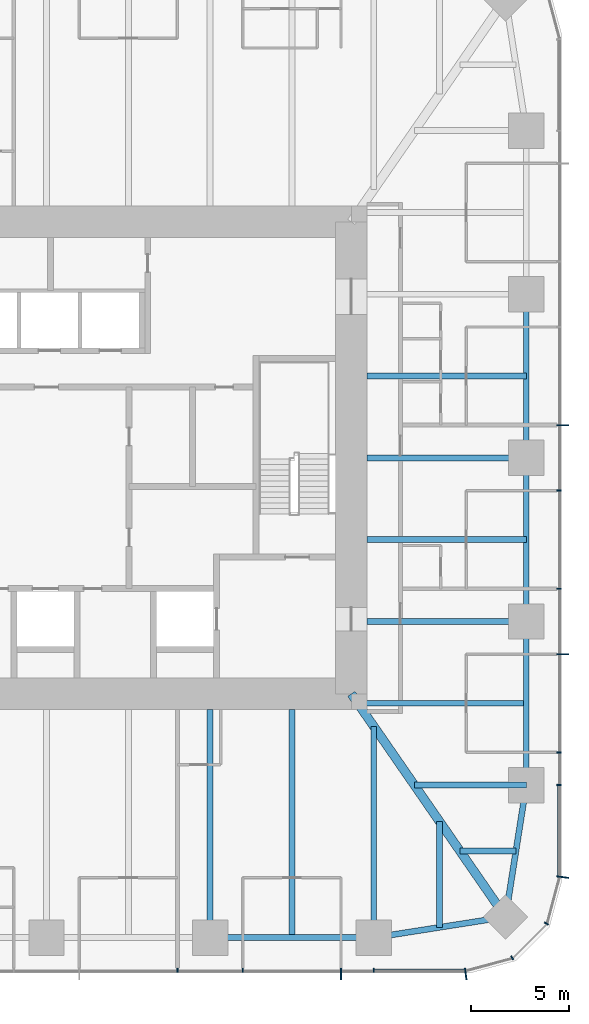
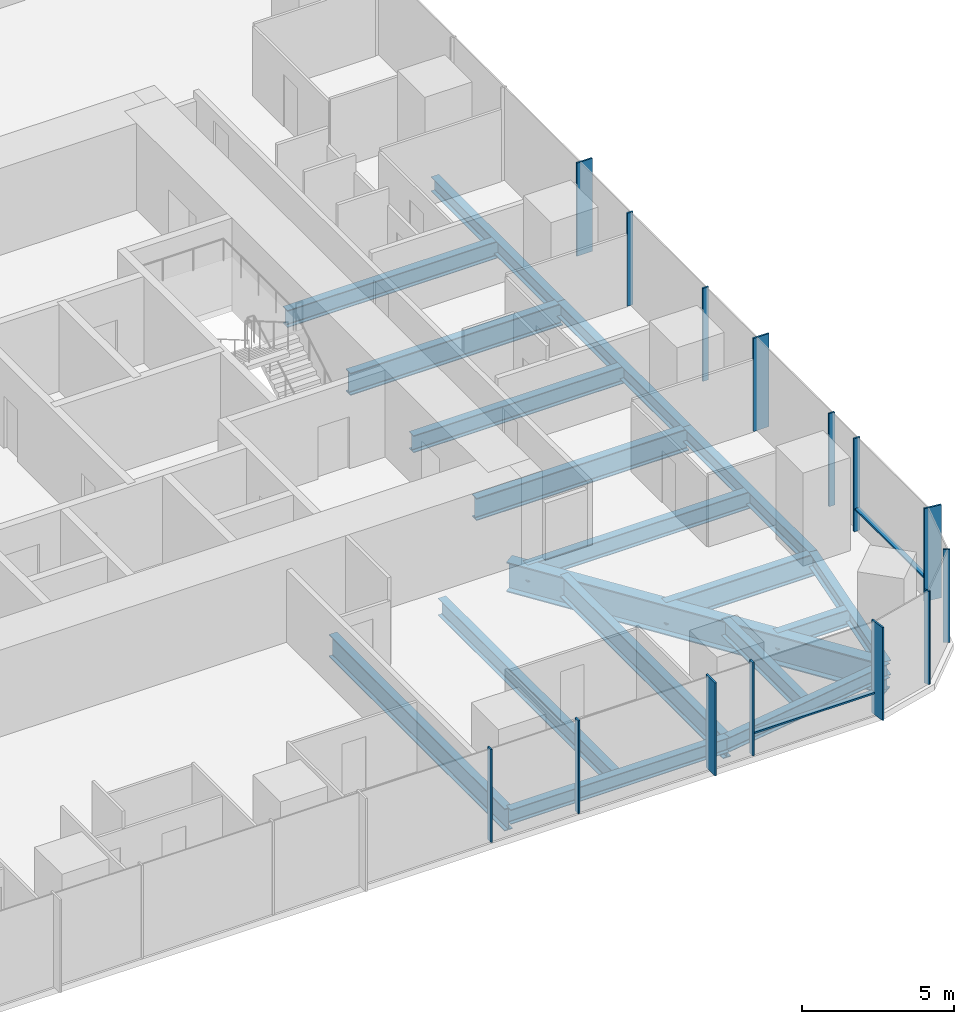
# One storey, part 4 of 12: 18 beams, 16 members, 3 elements without a shape of their own.
"""IFC4 building model written with IfcOpenShell, lengths in metres."""

from ifc_helpers import new_model, si_unit, direction, frame, origin, origin_2d, place, context, subcontext, project, spatial, rectangle, i_section, extrude, material, material_profile, profile_set, type_object, element, aggregate, save


model = new_model("IFC4")

# Units and contexts
model_context = context("Model", 3, precision=1e-05, world=origin(), true_north=direction((0.0, 1.0)))
body_context = subcontext(model_context, "Body", "Model", "MODEL_VIEW")
ifc_project = project(units=[si_unit("LENGTHUNIT", "METRE"), si_unit("AREAUNIT", "SQUARE_METRE"), si_unit("VOLUMEUNIT", "CUBIC_METRE"), si_unit("PLANEANGLEUNIT", "RADIAN"), si_unit("MASSUNIT", "GRAM", prefix="KILO")], contexts=[model_context])

# Site, building, storey
site_placement = place(None, origin())
site = spatial("IfcSite", under=ifc_project, at=site_placement, CompositionType="ELEMENT")
building_placement = place(site_placement, origin())
building = spatial("IfcBuilding", under=site, at=building_placement, Name="Khuree Lantern Residences", CompositionType="ELEMENT")
storey_placement = place(building_placement, frame((0.0, 0.0, 229.5)))
storey = spatial("IfcBuildingStorey", under=building, at=storey_placement, Name="L57", CompositionType="ELEMENT", Elevation=229.5)

# Beams
ifc_material_1 = material(Name="Steel S355", Category="steel")
ifc_material_profile_1 = material_profile(ifc_material_1, i_section(OverallWidth=0.300048828125, OverallDepth=0.68994140625, WebThickness=0.014404296875, FlangeThickness=0.027099609375, FilletRadius=0.027099609375, at=origin_2d()), Name="HE 700 A")
ifc_profile_set_1 = profile_set([ifc_material_profile_1], Name="Steel S355")
beam_type_1 = type_object("IfcBeamType", Name="B-33 SECONDARY BEAM HE 700 A", PredefinedType="BEAM", material=ifc_profile_set_1)
for number, where, z_axis, x_axis, name in (
    (1, (24.39990234375, 4.159912109375, -0.594970703125), (-1.0, 0.0, 0.0), (0.0, -1.0, 0.0), "Secondary beam E3"),
    (2, (24.39990234375, -4.159912109375, -0.594970703125), (-1.0, 0.0, 0.0), (0.0, -1.0, 0.0), "Secondary beam E4"),
):
    element("IfcBeam", number, at=place(storey_placement, frame(where, z_axis=z_axis, x_axis=x_axis)), inside=storey, type_object=beam_type_1, Name=name, PredefinedType="BEAM", context=body_context, shape_type="SweptSolid", body=[
        extrude(i_section(OverallWidth=0.300048828125, OverallDepth=0.68994140625, WebThickness=0.014404296875, FlangeThickness=0.027099609375, FilletRadius=0.027099609375, at=origin_2d()), origin(), (0.0, 0.0, 1.0), 8.099853515625),
    ])
beam_1_placement = place(storey_placement, frame((24.39990234375, -12.47998046875, -0.594970703125), z_axis=(-1.0, 0.0, 0.0), x_axis=(0.0, -1.0, 0.0)))
element("IfcBeam", 3, at=beam_1_placement, inside=storey, type_object=beam_type_1, Name="Secondary beam E5", PredefinedType="BEAM", context=body_context, shape_type="SweptSolid", body=[
    extrude(i_section(OverallWidth=0.300048828125, OverallDepth=0.68994140625, WebThickness=0.014404296875, FlangeThickness=0.027099609375, FilletRadius=0.027099609375, at=origin_2d()), origin(), (0.0, 0.0, 1.0), 8.56787109375),
])
beam_2_placement = place(storey_placement, frame((23.872802734375, -19.992919921875, -0.594970703125), z_axis=(-1.0, 0.0, 0.0), x_axis=(0.0, -1.0, 0.0)))
element("IfcBeam", 4, at=beam_2_placement, inside=storey, type_object=beam_type_1, Name="Secondary beam E6", PredefinedType="BEAM", context=body_context, shape_type="SweptSolid", body=[
    extrude(i_section(OverallWidth=0.300048828125, OverallDepth=0.68994140625, WebThickness=0.014404296875, FlangeThickness=0.027099609375, FilletRadius=0.027099609375, at=origin_2d()), origin(), (0.0, 0.0, 1.0), 2.845703125),
])
beam_3_placement = place(storey_placement, frame((19.992919921875, -23.872802734375, -0.594970703125), z_axis=(0.0, 1.0, 0.0), x_axis=(-1.0, 0.0, 0.0)))
element("IfcBeam", 5, at=beam_3_placement, inside=storey, type_object=beam_type_1, Name="Secondary beam S1", PredefinedType="BEAM", context=body_context, shape_type="SweptSolid", body=[
    extrude(i_section(OverallWidth=0.300048828125, OverallDepth=0.68994140625, WebThickness=0.014404296875, FlangeThickness=0.027099609375, FilletRadius=0.027099609375, at=origin_2d()), origin(), (0.0, 0.0, 1.0), 5.375732421875),
])
beam_4_placement = place(storey_placement, frame((12.47998046875, -24.39990234375, -0.594970703125), z_axis=(0.0, 1.0, 0.0), x_axis=(-1.0, 0.0, 0.0)))
element("IfcBeam", 6, at=beam_4_placement, inside=storey, type_object=beam_type_1, Name="Secondary beam S2", PredefinedType="BEAM", context=body_context, shape_type="SweptSolid", body=[
    extrude(i_section(OverallWidth=0.300048828125, OverallDepth=0.68994140625, WebThickness=0.014404296875, FlangeThickness=0.027099609375, FilletRadius=0.027099609375, at=origin_2d()), origin(), (0.0, 0.0, 1.0), 11.599853515625),
])
ifc_material_profile_2 = material_profile(ifc_material_1, i_section(OverallWidth=0.300048828125, OverallDepth=0.590087890625, WebThickness=0.012939453125, FlangeThickness=0.02490234375, FilletRadius=0.027099609375, at=origin_2d()), Name="HE 600 A")
ifc_profile_set_2 = profile_set([ifc_material_profile_2], Name="Steel S355")
beam_type_2 = type_object("IfcBeamType", Name="E-33 SPANDREL BEAM HE 600 A", PredefinedType="SPANDREL", material=ifc_profile_set_2)
for number, where, z_axis, x_axis, name in (
    (7, (24.39990234375, 8.320068359375, -0.544921875), (0.0, -1.0, 0.0), (1.0, 0.0, 0.0), "Spandrel beam E3"),
    (8, (24.39990234375, 0.0, -0.544921875), (0.0, -1.0, 0.0), (1.0, 0.0, 0.0), "Spandrel beam E4"),
):
    element("IfcBeam", number, at=place(storey_placement, frame(where, z_axis=z_axis, x_axis=x_axis)), inside=storey, type_object=beam_type_2, Name=name, PredefinedType="SPANDREL", context=body_context, shape_type="SweptSolid", body=[
        extrude(i_section(OverallWidth=0.300048828125, OverallDepth=0.590087890625, WebThickness=0.012939453125, FlangeThickness=0.02490234375, FilletRadius=0.027099609375, at=origin_2d()), origin(), (0.0, 0.0, 1.0), 8.320068359375),
    ])
beam_5_placement = place(storey_placement, frame((24.39990234375, -8.320068359375, -0.544921875), z_axis=(0.0, -1.0, 0.0), x_axis=(1.0, 0.0, 0.0)))
element("IfcBeam", 9, at=beam_5_placement, inside=storey, type_object=beam_type_2, Name="Spandrel beam E5", PredefinedType="SPANDREL", context=body_context, shape_type="SweptSolid", body=[
    extrude(i_section(OverallWidth=0.300048828125, OverallDepth=0.590087890625, WebThickness=0.012939453125, FlangeThickness=0.02490234375, FilletRadius=0.027099609375, at=origin_2d()), origin(), (0.0, 0.0, 1.0), 8.31982421875),
])
for number, where, z_axis, x_axis, name in (
    (10, (24.39990234375, -16.639892578125, -0.544921875), (-0.155299507442, -0.98786743189, 0.0), (0.98786743189, -0.155299507442, 0.0), "Spandrel beam E6"),
    (11, (23.345703125, -23.345703125, -0.544921875), (-0.98786743189, -0.155299507442, 0.0), (0.155299507442, -0.98786743189, 0.0), "Spandrel beam S1"),
):
    element("IfcBeam", number, at=place(storey_placement, frame(where, z_axis=z_axis, x_axis=x_axis)), inside=storey, type_object=beam_type_2, Name=name, PredefinedType="SPANDREL", context=body_context, shape_type="SweptSolid", body=[
        extrude(i_section(OverallWidth=0.300048828125, OverallDepth=0.590087890625, WebThickness=0.012939453125, FlangeThickness=0.02490234375, FilletRadius=0.027099609375, at=origin_2d()), origin(), (0.0, 0.0, 1.0), 6.7880859375),
    ])
beam_6_placement = place(storey_placement, frame((16.639892578125, -24.39990234375, -0.544921875), z_axis=(-1.0, 0.0, 0.0), x_axis=(0.0, -1.0, 0.0)))
element("IfcBeam", 12, at=beam_6_placement, inside=storey, type_object=beam_type_2, Name="Spandrel beam S2", PredefinedType="SPANDREL", context=body_context, shape_type="SweptSolid", body=[
    extrude(i_section(OverallWidth=0.300048828125, OverallDepth=0.590087890625, WebThickness=0.012939453125, FlangeThickness=0.02490234375, FilletRadius=0.027099609375, at=origin_2d()), origin(), (0.0, 0.0, 1.0), 8.31982421875),
])

# Curtain wall, member
ifc_material_2 = material(Name="Bronze anodised aluminium", Category="aluminium")
curtain_wall_type_1 = type_object("IfcCurtainWallType", Name="CW-T2 TOWER CORNER CURTAIN WALL", PredefinedType="USERDEFINED", material=ifc_material_2)
curtain_wall_1_placement = place(storey_placement, origin())
curtain_wall_1 = element("IfcCurtainWall", 13, at=curtain_wall_1_placement, inside=storey, type_object=curtain_wall_type_1, Name="L57 SOUTH-EAST CORNER CURTAIN WALL", ObjectType="Faceted corner curtain wall", PredefinedType="USERDEFINED")
ifc_material_profile_3 = material_profile(ifc_material_2, rectangle(XDim=0.06494140625, YDim=0.60009765625, at=origin_2d()), Name="F1 65X600")
ifc_profile_set_3 = profile_set([ifc_material_profile_3], Name="Bronze anodised aluminium")
member_type_1 = type_object("IfcMemberType", Name="F1 BRONZE FIN MULLION TOWER 65X600", PredefinedType="MULLION", material=ifc_profile_set_3)
member_1_placement = place(storey_placement, frame((21.31982421875, -26.25, 0.0), z_axis=(0.0, 0.0, 1.0), x_axis=(0.991444862943, 0.130526180298, 0.0)))
member_1 = element("IfcMember", 14, at=member_1_placement, type_object=member_type_1, Name="L57 SOUTH-EAST CORNER FIN MULLION 1", PredefinedType="MULLION", context=body_context, shape_type="SweptSolid", body=[
    extrude(rectangle(XDim=0.06494140625, YDim=0.60009765625, at=origin_2d()), origin(), (0.0, 0.0, 1.0), 3.75),
])

# Curtain wall, members
curtain_wall_type_2 = type_object("IfcCurtainWallType", Name="CW-T1 TOWER FACE CURTAIN WALL", PredefinedType="USERDEFINED", material=ifc_material_2)
curtain_wall_2_placement = place(storey_placement, origin())
curtain_wall_2 = element("IfcCurtainWall", 15, at=curtain_wall_2_placement, inside=storey, type_object=curtain_wall_type_2, Name="L57 EAST FACE CURTAIN WALL", ObjectType="Stick-built curtain wall", PredefinedType="USERDEFINED")
member_2_placement = place(storey_placement, frame((26.25, -21.31982421875, 0.0), z_axis=(0.0, 0.0, 1.0), x_axis=(0.130526180298, 0.991444862943, 0.0)))
member_2 = element("IfcMember", 16, at=member_2_placement, type_object=member_type_1, Name="L57 EAST FACE FIN MULLION 4", PredefinedType="MULLION", context=body_context, shape_type="SweptSolid", body=[
    extrude(rectangle(XDim=0.06494140625, YDim=0.60009765625, at=origin_2d()), origin(), (0.0, 0.0, 1.0), 3.75),
])
member_3_placement = place(storey_placement, frame((26.25, -9.98388671875, 0.0), z_axis=(0.0, 0.0, 1.0), x_axis=(0.0, 1.0, 0.0)))
member_3 = element("IfcMember", 17, at=member_3_placement, type_object=member_type_1, Name="L57 EAST FACE FIN MULLION 7", PredefinedType="MULLION", context=body_context, shape_type="SweptSolid", body=[
    extrude(rectangle(XDim=0.06494140625, YDim=0.60009765625, at=origin_2d()), origin(), (0.0, 0.0, 1.0), 3.75),
])
member_4_placement = place(storey_placement, frame((26.25, 1.6640625, 0.0), z_axis=(0.0, 0.0, 1.0), x_axis=(0.0, 1.0, 0.0)))
member_4 = element("IfcMember", 18, at=member_4_placement, type_object=member_type_1, Name="L57 EAST FACE FIN MULLION 10", PredefinedType="MULLION", context=body_context, shape_type="SweptSolid", body=[
    extrude(rectangle(XDim=0.06494140625, YDim=0.60009765625, at=origin_2d()), origin(), (0.0, 0.0, 1.0), 3.75),
])

# Curtain wall, member
curtain_wall_3_placement = place(storey_placement, origin())
curtain_wall_3 = element("IfcCurtainWall", 19, at=curtain_wall_3_placement, inside=storey, type_object=curtain_wall_type_2, Name="L57 SOUTH FACE CURTAIN WALL", ObjectType="Stick-built curtain wall", PredefinedType="USERDEFINED")
member_5_placement = place(storey_placement, frame((14.97607421875, -26.25, 0.0), z_axis=(0.0, 0.0, 1.0), x_axis=(1.0, 0.0, 0.0)))
member_5 = element("IfcMember", 20, at=member_5_placement, type_object=member_type_1, Name="L57 SOUTH FACE FIN MULLION 55", PredefinedType="MULLION", context=body_context, shape_type="SweptSolid", body=[
    extrude(rectangle(XDim=0.06494140625, YDim=0.60009765625, at=origin_2d()), origin(), (0.0, 0.0, 1.0), 3.75),
])

# Beams
ifc_material_profile_4 = material_profile(ifc_material_1, i_section(OverallWidth=0.300048828125, OverallDepth=0.89990234375, WebThickness=0.0185546875, FlangeThickness=0.034912109375, FilletRadius=0.030029296875, at=origin_2d()), Name="HE 900 B")
ifc_profile_set_4 = profile_set([ifc_material_profile_4], Name="Steel S355")
beam_type_3 = type_object("IfcBeamType", Name="G-33 GIRDER HE 900 B", PredefinedType="BEAM", material=ifc_profile_set_4)
for number, where, z_axis, x_axis, name in (
    (21, (24.39990234375, 0.0, -0.699951171875), (-1.0, 0.0, 0.0), (0.0, -1.0, 0.0), "Girder E3"),
    (22, (24.39990234375, -8.320068359375, -0.699951171875), (-1.0, 0.0, 0.0), (0.0, -1.0, 0.0), "Girder E4"),
):
    element("IfcBeam", number, at=place(storey_placement, frame(where, z_axis=z_axis, x_axis=x_axis)), inside=storey, type_object=beam_type_3, Name=name, PredefinedType="BEAM", context=body_context, shape_type="SweptSolid", body=[
        extrude(i_section(OverallWidth=0.300048828125, OverallDepth=0.89990234375, WebThickness=0.0185546875, FlangeThickness=0.034912109375, FilletRadius=0.030029296875, at=origin_2d()), origin(), (0.0, 0.0, 1.0), 8.099853515625),
    ])
beam_7_placement = place(storey_placement, frame((24.39990234375, -16.639892578125, -0.699951171875), z_axis=(-1.0, 0.0, 0.0), x_axis=(0.0, -1.0, 0.0)))
element("IfcBeam", 23, at=beam_7_placement, inside=storey, type_object=beam_type_3, Name="Girder E5", PredefinedType="BEAM", context=body_context, shape_type="SweptSolid", body=[
    extrude(i_section(OverallWidth=0.300048828125, OverallDepth=0.89990234375, WebThickness=0.0185546875, FlangeThickness=0.034912109375, FilletRadius=0.030029296875, at=origin_2d()), origin(), (0.0, 0.0, 1.0), 5.69140625),
])
beam_8_placement = place(storey_placement, frame((16.639892578125, -24.39990234375, -0.699951171875), z_axis=(0.0, 1.0, 0.0), x_axis=(-1.0, 0.0, 0.0)))
element("IfcBeam", 24, at=beam_8_placement, inside=storey, type_object=beam_type_3, Name="Girder S1", PredefinedType="BEAM", context=body_context, shape_type="SweptSolid", body=[
    extrude(i_section(OverallWidth=0.300048828125, OverallDepth=0.89990234375, WebThickness=0.0185546875, FlangeThickness=0.034912109375, FilletRadius=0.030029296875, at=origin_2d()), origin(), (0.0, 0.0, 1.0), 10.751220703125),
])
beam_9_placement = place(storey_placement, frame((8.320068359375, -24.39990234375, -0.699951171875), z_axis=(0.0, 1.0, 0.0), x_axis=(-1.0, 0.0, 0.0)))
element("IfcBeam", 25, at=beam_9_placement, inside=storey, type_object=beam_type_3, Name="Girder S2", PredefinedType="BEAM", context=body_context, shape_type="SweptSolid", body=[
    extrude(i_section(OverallWidth=0.300048828125, OverallDepth=0.89990234375, WebThickness=0.0185546875, FlangeThickness=0.034912109375, FilletRadius=0.030029296875, at=origin_2d()), origin(), (0.0, 0.0, 1.0), 11.599853515625),
])
ifc_material_profile_5 = material_profile(ifc_material_1, i_section(OverallWidth=0.449951171875, OverallDepth=1.199951171875, WebThickness=0.02490234375, FlangeThickness=0.044921875, at=origin_2d()), Name="WELDED I 1200X450X25X45")
ifc_profile_set_5 = profile_set([ifc_material_profile_5], Name="Steel S355")
beam_type_4 = type_object("IfcBeamType", Name="GD-33 CORNER GIRDER WELDED I 1200X450X25X45", PredefinedType="BEAM", material=ifc_profile_set_5)
beam_10_placement = place(storey_placement, frame((23.345703125, -23.345703125, -0.85009765625), z_axis=(-0.56876813501, 0.822497907959, 0.0), x_axis=(-0.822497907959, -0.56876813501, 0.0)))
element("IfcBeam", 26, at=beam_10_placement, inside=storey, type_object=beam_type_4, Name="Corner girder SE", PredefinedType="BEAM", context=body_context, shape_type="SweptSolid", body=[
    extrude(i_section(OverallWidth=0.449951171875, OverallDepth=1.199951171875, WebThickness=0.02490234375, FlangeThickness=0.044921875, at=origin_2d()), origin(), (0.0, 0.0, 1.0), 13.794189453125),
])

# Member
ifc_material_profile_6 = material_profile(ifc_material_2, rectangle(XDim=0.06494140625, YDim=0.219970703125, at=origin_2d()), Name="M1 65X220")
ifc_profile_set_6 = profile_set([ifc_material_profile_6], Name="Bronze anodised aluminium")
member_type_2 = type_object("IfcMemberType", Name="M1 BRONZE MULLION TOWER 65X220", PredefinedType="MULLION", material=ifc_profile_set_6)
member_6_placement = place(storey_placement, frame((23.679931640625, -25.42236328125, 0.0), z_axis=(0.0, 0.0, 1.0), x_axis=(0.866025409797, 0.499999989586, 0.0)))
member_6 = element("IfcMember", 27, at=member_6_placement, type_object=member_type_2, Name="L57 SOUTH-EAST CORNER MULLION 2", PredefinedType="MULLION", context=body_context, shape_type="SweptSolid", body=[
    extrude(rectangle(XDim=0.06494140625, YDim=0.219970703125, at=origin_2d()), origin(), (0.0, 0.0, 1.0), 3.75),
])

member_7_placement = place(storey_placement, frame((25.42236328125, -23.679931640625, 0.0), z_axis=(0.0, 0.0, 1.0), x_axis=(0.499999989586, 0.866025409797, 0.0)))
member_7 = element("IfcMember", 28, at=member_7_placement, type_object=member_type_2, Name="L57 SOUTH-EAST CORNER MULLION 3", PredefinedType="MULLION", context=body_context, shape_type="SweptSolid", body=[
    extrude(rectangle(XDim=0.06494140625, YDim=0.219970703125, at=origin_2d()), origin(), (0.0, 0.0, 1.0), 3.75),
])

aggregate(curtain_wall_1, [member_1, member_6, member_7])

member_8_placement = place(storey_placement, frame((26.06005859375, -16.639892578125, 0.0), z_axis=(0.0, 0.0, 1.0), x_axis=(0.0, 1.0, 0.0)))
member_8 = element("IfcMember", 29, at=member_8_placement, type_object=member_type_2, Name="L57 EAST FACE MULLION 5", PredefinedType="MULLION", context=body_context, shape_type="SweptSolid", body=[
    extrude(rectangle(XDim=0.06494140625, YDim=0.219970703125, at=origin_2d()), origin(), (0.0, 0.0, 1.0), 3.75),
])

member_9_placement = place(storey_placement, frame((26.06005859375, -14.97607421875, 0.0), z_axis=(0.0, 0.0, 1.0), x_axis=(0.0, 1.0, 0.0)))
member_9 = element("IfcMember", 30, at=member_9_placement, type_object=member_type_2, Name="L57 EAST FACE MULLION 6", PredefinedType="MULLION", context=body_context, shape_type="SweptSolid", body=[
    extrude(rectangle(XDim=0.06494140625, YDim=0.219970703125, at=origin_2d()), origin(), (0.0, 0.0, 1.0), 3.75),
])

member_10_placement = place(storey_placement, frame((26.06005859375, -6.656005859375, 0.0), z_axis=(0.0, 0.0, 1.0), x_axis=(0.0, 1.0, 0.0)))
member_10 = element("IfcMember", 31, at=member_10_placement, type_object=member_type_2, Name="L57 EAST FACE MULLION 8", PredefinedType="MULLION", context=body_context, shape_type="SweptSolid", body=[
    extrude(rectangle(XDim=0.06494140625, YDim=0.219970703125, at=origin_2d()), origin(), (0.0, 0.0, 1.0), 3.75),
])

member_11_placement = place(storey_placement, frame((26.06005859375, -1.6640625, 0.0), z_axis=(0.0, 0.0, 1.0), x_axis=(0.0, 1.0, 0.0)))
member_11 = element("IfcMember", 32, at=member_11_placement, type_object=member_type_2, Name="L57 EAST FACE MULLION 9", PredefinedType="MULLION", context=body_context, shape_type="SweptSolid", body=[
    extrude(rectangle(XDim=0.06494140625, YDim=0.219970703125, at=origin_2d()), origin(), (0.0, 0.0, 1.0), 3.75),
])

member_12_placement = place(storey_placement, frame((6.656005859375, -26.06005859375, 0.0), z_axis=(0.0, 0.0, 1.0), x_axis=(1.0, 0.0, 0.0)))
member_12 = element("IfcMember", 33, at=member_12_placement, type_object=member_type_2, Name="L57 SOUTH FACE MULLION 53", PredefinedType="MULLION", context=body_context, shape_type="SweptSolid", body=[
    extrude(rectangle(XDim=0.06494140625, YDim=0.219970703125, at=origin_2d()), origin(), (0.0, 0.0, 1.0), 3.75),
])

member_13_placement = place(storey_placement, frame((9.98388671875, -26.06005859375, 0.0), z_axis=(0.0, 0.0, 1.0), x_axis=(1.0, 0.0, 0.0)))
member_13 = element("IfcMember", 34, at=member_13_placement, type_object=member_type_2, Name="L57 SOUTH FACE MULLION 54", PredefinedType="MULLION", context=body_context, shape_type="SweptSolid", body=[
    extrude(rectangle(XDim=0.06494140625, YDim=0.219970703125, at=origin_2d()), origin(), (0.0, 0.0, 1.0), 3.75),
])

member_14_placement = place(storey_placement, frame((16.639892578125, -26.06005859375, 0.0), z_axis=(0.0, 0.0, 1.0), x_axis=(1.0, 0.0, 0.0)))
member_14 = element("IfcMember", 35, at=member_14_placement, type_object=member_type_2, Name="L57 SOUTH FACE MULLION 56", PredefinedType="MULLION", context=body_context, shape_type="SweptSolid", body=[
    extrude(rectangle(XDim=0.06494140625, YDim=0.219970703125, at=origin_2d()), origin(), (0.0, 0.0, 1.0), 3.75),
])

ifc_material_profile_7 = material_profile(ifc_material_2, rectangle(XDim=0.179931640625, YDim=0.06494140625, at=origin_2d()), Name="T1 180X65")
ifc_profile_set_7 = profile_set([ifc_material_profile_7], Name="Bronze anodised aluminium")
member_type_3 = type_object("IfcMemberType", Name="TRANSOM T1 TOWER 180X65", PredefinedType="USERDEFINED", material=ifc_profile_set_7)
member_15_placement = place(storey_placement, frame((26.070068359375, -21.25146484375, 0.89990234375), z_axis=(0.0, 1.0, 0.0), x_axis=(-1.0, 0.0, 0.0)))
member_15 = element("IfcMember", 36, at=member_15_placement, type_object=member_type_3, Name="L57 EAST FACE TRANSOM 4.1", ObjectType="Transom", PredefinedType="USERDEFINED", context=body_context, shape_type="SweptSolid", body=[
    extrude(rectangle(XDim=0.179931640625, YDim=0.06494140625, at=origin_2d()), origin(), (0.0, 0.0, 1.0), 4.578857421875),
])

aggregate(curtain_wall_2, [member_2, member_8, member_9, member_3, member_10, member_11, member_4, member_15])

member_16_placement = place(storey_placement, frame((16.672607421875, -26.070068359375, 0.89990234375), z_axis=(1.0, 0.0, 0.0), x_axis=(0.0, 1.0, 0.0)))
member_16 = element("IfcMember", 37, at=member_16_placement, type_object=member_type_3, Name="L57 SOUTH FACE TRANSOM 56.1", ObjectType="Transom", PredefinedType="USERDEFINED", context=body_context, shape_type="SweptSolid", body=[
    extrude(rectangle(XDim=0.179931640625, YDim=0.06494140625, at=origin_2d()), origin(), (0.0, 0.0, 1.0), 4.578857421875),
])

aggregate(curtain_wall_3, [member_12, member_13, member_5, member_14, member_16])

save(model, "model.ifc")
